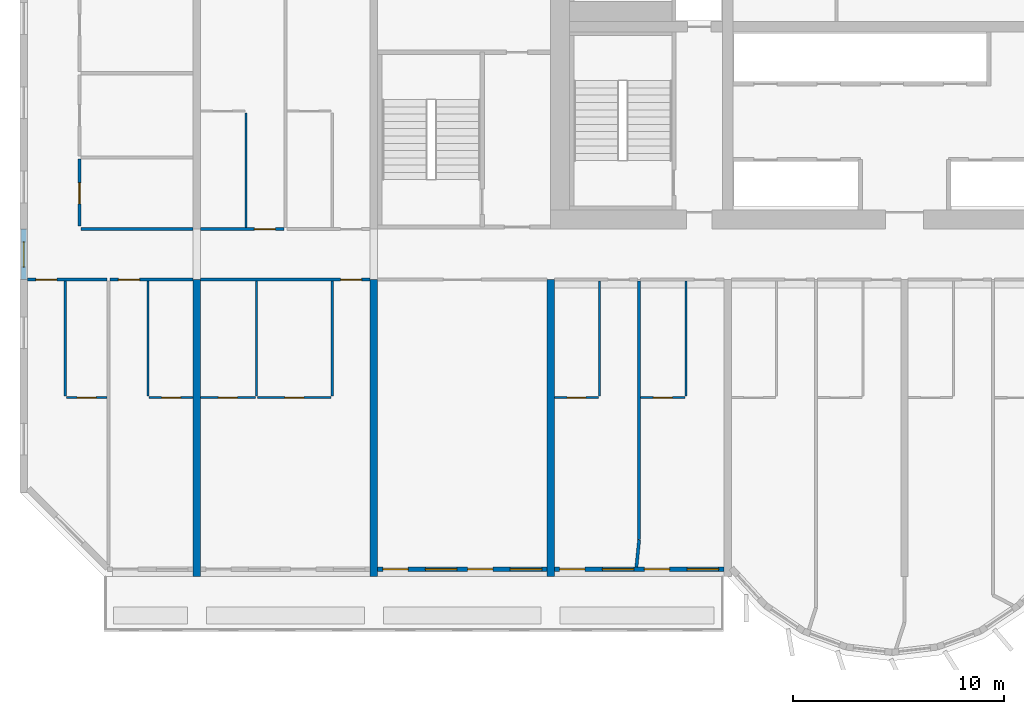
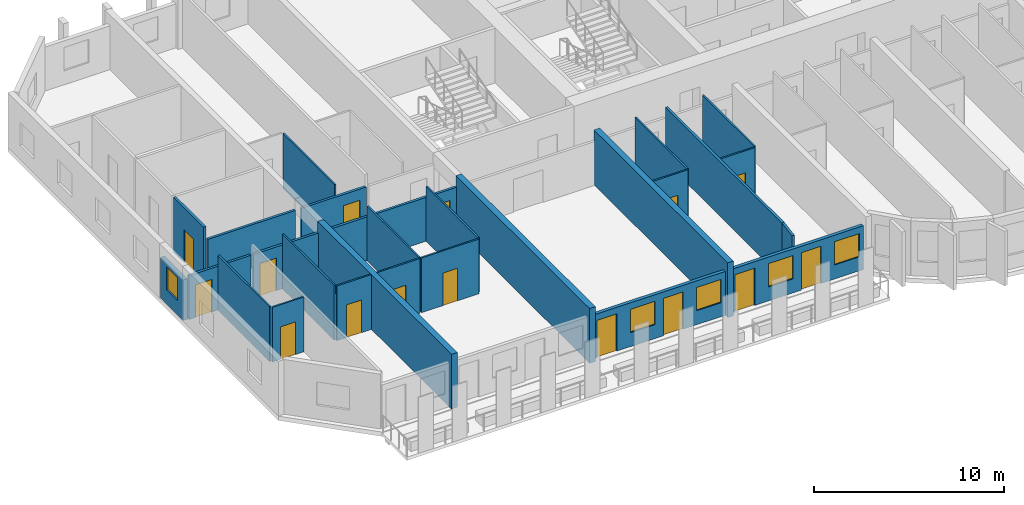
# One storey, part 3 of 15: 27 walls, 15 doors, 5 windows, 20 openings.
"""IFC4 building model written with IfcOpenShell, lengths in metres."""

import ifcopenshell
import ifcopenshell.guid

model = None  # the IFC model being written
_history = None  # IfcOwnerHistory: only IFC2X3 demands one
_inside = {}  # id of a spatial element -> (the spatial element, [elements in it])
_under = {}  # id of a project, library or spatial element -> (it, [spatial elements below it])
_declared = {}  # id of a project -> (the project, [libraries it declares])
_typed = {}  # id of a type object -> (the type object, [elements of that type])
_made_of = {}  # id of a material, layer set ... -> (it, [elements and type objects made of it])


def new_model(schema):
    """Start an empty IFC model of exactly this schema.

    Asked for "IFC4X3", IfcOpenShell would pick the latest addendum, in which some entities
    have other attributes; the version numbers below select the first issue.
    IFC2X3 requires an IfcOwnerHistory on every rooted entity: one is made here for all.
    """
    global model, _history
    if schema == "IFC4X3":
        model = ifcopenshell.file(schema_version=(4, 3, 0, 0))
    else:
        model = ifcopenshell.file(schema=schema)
    _inside.clear()
    _under.clear()
    _declared.clear()
    _typed.clear()
    _made_of.clear()
    _history = None
    if model.schema == "IFC2X3":
        org = make("IfcOrganization", Name="unknown")
        user = make(
            "IfcPersonAndOrganization",
            ThePerson=make("IfcPerson", FamilyName="unknown"),
            TheOrganization=org,
        )
        app = make(
            "IfcApplication",
            ApplicationDeveloper=org,
            Version="unknown",
            ApplicationFullName="unknown",
            ApplicationIdentifier="unknown",
        )
        _history = make(
            "IfcOwnerHistory",
            OwningUser=user,
            OwningApplication=app,
            ChangeAction="ADDED",
            CreationDate=0,
        )
    return model


def make(cls, **values):
    """One entity of the class cls with the attributes given. An attribute that is None is left unset."""
    return model.create_entity(
        cls, **{name: value for name, value in values.items() if value is not None}
    )


def rooted(cls, **values):
    """An entity with a GlobalId (a new one), such as an element, a storey or a relation."""
    return make(cls, GlobalId=ifcopenshell.guid.new(), OwnerHistory=_history, **values)


def si_unit(unit_type, name, prefix=None):
    """IfcSIUnit, for example si_unit("LENGTHUNIT", "METRE", prefix="MILLI")."""
    return make("IfcSIUnit", UnitType=unit_type, Prefix=prefix, Name=name)


def assignment(units):
    """IfcUnitAssignment: the units of a project."""
    return None if units is None else make("IfcUnitAssignment", Units=units)


def point(xyz):
    """IfcCartesianPoint."""
    return None if xyz is None else make("IfcCartesianPoint", Coordinates=xyz)


def direction(xyz):
    """IfcDirection."""
    return None if xyz is None else make("IfcDirection", DirectionRatios=xyz)


def frame(location, z_axis=None, x_axis=None):
    """IfcAxis2Placement3D, a coordinate frame: its origin and axes. An axis left out is left unset."""
    return make(
        "IfcAxis2Placement3D",
        Location=point(location),
        Axis=direction(z_axis),
        RefDirection=direction(x_axis),
    )


def frame_2d(location, x_axis=None):
    """IfcAxis2Placement2D, a coordinate frame in the plane: its origin and x axis."""
    return make(
        "IfcAxis2Placement2D", Location=point(location), RefDirection=direction(x_axis)
    )


def origin():
    """The frame at (0, 0, 0) with its axes left unset."""
    return frame((0.0, 0.0, 0.0))


def place(relative_to, where):
    """IfcLocalPlacement: puts the frame where relative to a parent placement (None: the world)."""
    return make(
        "IfcLocalPlacement", PlacementRelTo=relative_to, RelativePlacement=where
    )


def context(
    kind, dimensions, precision=None, world=None, true_north=None, identifier=None
):
    """IfcGeometricRepresentationContext, for example the 3D "Model" context."""
    return make(
        "IfcGeometricRepresentationContext",
        ContextIdentifier=identifier,
        ContextType=kind,
        CoordinateSpaceDimension=dimensions,
        Precision=precision,
        WorldCoordinateSystem=world,
        TrueNorth=true_north,
    )


def subcontext(parent, identifier, kind, view, scale=None):
    """IfcGeometricRepresentationSubContext, for example "Body" below "Model"."""
    return make(
        "IfcGeometricRepresentationSubContext",
        ContextIdentifier=identifier,
        ContextType=kind,
        ParentContext=parent,
        TargetScale=scale,
        TargetView=view,
    )


def project(units=None, contexts=None):
    """IfcProject with its units and contexts."""
    return rooted(
        "IfcProject",
        Name="project",
        RepresentationContexts=contexts,
        UnitsInContext=assignment(units),
    )


def spatial(cls, under=None, at=None, **own):
    """A site, building, storey or space (cls), placed at a placement, below another one or the project."""
    s = rooted(cls, ObjectPlacement=at, **own)
    if under is not None:
        _under.setdefault(under.id(), (under, []))[1].append(s)
    return s


def profile(cls, at=None, kind="AREA", **sizes):
    """A parametric profile (cls). Its sizes go by their IFC names, for example OverallWidth=200.0."""
    return make(cls, ProfileType=kind, Position=at, **sizes)


def rectangle(**sizes):
    """IfcRectangleProfileDef."""
    return profile("IfcRectangleProfileDef", **sizes)


def extrude(swept, where, along, depth):
    """IfcExtrudedAreaSolid: the profile swept, set in the frame where, extruded along a direction by depth."""
    return make(
        "IfcExtrudedAreaSolid",
        SweptArea=swept,
        Position=where,
        ExtrudedDirection=direction(along),
        Depth=depth,
    )


def shape(context_of_items, identifier, shape_type, items):
    """IfcShapeRepresentation: the items that make up one representation, for example the "Body"."""
    return make(
        "IfcShapeRepresentation",
        ContextOfItems=context_of_items,
        RepresentationIdentifier=identifier,
        RepresentationType=shape_type,
        Items=items,
    )


def source(mapping_origin, context_of_items, identifier, shape_type, items):
    """IfcRepresentationMap: a shape defined once, which mapped items show again and again."""
    return make(
        "IfcRepresentationMap",
        MappingOrigin=mapping_origin,
        MappedRepresentation=shape(context_of_items, identifier, shape_type, items),
    )


def transform(
    local_origin,
    x_axis=None,
    y_axis=None,
    z_axis=None,
    scale=None,
    scale2=None,
    scale3=None,
    uniform=True,
):
    """IfcCartesianTransformationOperator3D, or its non-uniform kind. x_axis, y_axis, z_axis: its Axis1, 2, 3."""
    if uniform:
        return make(
            "IfcCartesianTransformationOperator3D",
            Axis1=direction(x_axis),
            Axis2=direction(y_axis),
            LocalOrigin=point(local_origin),
            Scale=scale,
            Axis3=direction(z_axis),
        )
    return make(
        "IfcCartesianTransformationOperator3DnonUniform",
        Axis1=direction(x_axis),
        Axis2=direction(y_axis),
        LocalOrigin=point(local_origin),
        Scale=scale,
        Axis3=direction(z_axis),
        Scale2=scale2,
        Scale3=scale3,
    )


def mapped(mapping_source, mapping_target):
    """IfcMappedItem: shows the shape of a source again, moved by a transform."""
    return make(
        "IfcMappedItem", MappingSource=mapping_source, MappingTarget=mapping_target
    )


def material(Name=None, Category=None):
    """IfcMaterial."""
    return make("IfcMaterial", Name=Name, Category=Category)


def layer(
    of_material, thickness, ventilated=None, Name=None, Category=None, Priority=None
):
    """IfcMaterialLayer: one layer of a wall or slab, of a material (None: an air gap)."""
    return make(
        "IfcMaterialLayer",
        Material=of_material,
        LayerThickness=thickness,
        IsVentilated=ventilated,
        Name=Name,
        Category=Category,
        Priority=Priority,
    )


def layer_set(layers, Name=None):
    """IfcMaterialLayerSet."""
    return make("IfcMaterialLayerSet", MaterialLayers=layers, LayerSetName=Name)


def made_of(thing, what):
    """Note that an element or type object is made of a material, layer set ...; save() writes the relation."""
    if what is not None:
        _made_of.setdefault(what.id(), (what, []))[1].append(thing)
    return thing


def type_object(cls, material=None, **own):
    """A type object (cls), such as IfcWallType, which elements share."""
    return made_of(rooted(cls, **own), material)


def element(
    cls,
    number,
    at=None,
    inside=None,
    cuts=None,
    type_object=None,
    material=None,
    context=None,
    identifier="Body",
    shape_type=None,
    held_by="IfcProductDefinitionShape",
    body=None,
    shapes=None,
    **own,
):
    """One element of the class cls, such as IfcWall. Its Tag is "e" and its number.

    at: its placement. inside: the storey or other place that contains it. cuts: it is an
    opening in that element (IfcRelVoidsElement). A single representation is given by context,
    identifier, shape_type and body (its items); several are given by shapes. held_by: the class
    of the entity that holds the representations. save() writes the other relations.
    """
    e = rooted(cls, Tag="e%d" % number, ObjectPlacement=at, **own)
    if body is not None:
        shapes = [shape(context, identifier, shape_type, body)]
    if shapes is not None:
        e.Representation = make(held_by, Representations=shapes)
    if inside is not None:
        _inside.setdefault(inside.id(), (inside, []))[1].append(e)
    if cuts is not None:
        rooted(
            "IfcRelVoidsElement", RelatingBuildingElement=cuts, RelatedOpeningElement=e
        )
    if type_object is not None:
        _typed.setdefault(type_object.id(), (type_object, []))[1].append(e)
    return made_of(e, material)


def fill(opening, filler):
    """IfcRelFillsElement: the door or window that sits in an opening."""
    return rooted(
        "IfcRelFillsElement",
        RelatingOpeningElement=opening,
        RelatedBuildingElement=filler,
    )


def aggregate(whole, parts):
    """IfcRelAggregates: a whole, such as a stair, and the parts it consists of."""
    return rooted("IfcRelAggregates", RelatingObject=whole, RelatedObjects=parts)


def save(model, path):
    """Write the relations noted so far, then the file.

    IfcRelAggregates (storeys below a building ...), IfcRelContainedInSpatialStructure (elements
    in a storey), IfcRelDefinesByType, IfcRelAssociatesMaterial and IfcRelDeclares: one each for
    every whole, place, type object, material and project.
    """
    for whole, parts in _under.values():
        aggregate(whole, parts)
    for where, things in _inside.values():
        rooted(
            "IfcRelContainedInSpatialStructure",
            RelatedElements=things,
            RelatingStructure=where,
        )
    for kind, things in _typed.values():
        rooted("IfcRelDefinesByType", RelatedObjects=things, RelatingType=kind)
    for what, things in _made_of.values():
        rooted("IfcRelAssociatesMaterial", RelatedObjects=things, RelatingMaterial=what)
    for by, libraries in _declared.values():
        rooted("IfcRelDeclares", RelatingContext=by, RelatedDefinitions=libraries)
    model.write(path)


model = new_model("IFC4")

# Units and contexts
model_context = context("Model", 3, precision=1e-05, world=origin(), true_north=direction((0.0, 1.0)))
body_context = subcontext(model_context, "Body", "Model", "MODEL_VIEW")
ifc_project = project(units=[si_unit("LENGTHUNIT", "METRE"), si_unit("AREAUNIT", "SQUARE_METRE"), si_unit("VOLUMEUNIT", "CUBIC_METRE"), si_unit("PLANEANGLEUNIT", "RADIAN"), si_unit("MASSUNIT", "GRAM", prefix="KILO")], contexts=[model_context])

# Site, building, storey
site_placement = place(None, origin())
site = spatial("IfcSite", under=ifc_project, at=site_placement, CompositionType="ELEMENT")
building_placement = place(site_placement, origin())
building = spatial("IfcBuilding", under=site, at=building_placement, Name="Vanashikhar Sky Hotel", CompositionType="ELEMENT")
storey_placement = place(building_placement, frame((0.0, 0.0, 91.39990234375)))
storey = spatial("IfcBuildingStorey", under=building, at=storey_placement, Name="L21", CompositionType="ELEMENT", Elevation=91.39990234375)

# Walls
ifc_material_1 = material(Name="Concrete M70", Category="concrete")
ifc_layer_1 = layer(ifc_material_1, 0.35009765625)
ifc_layer_set_1 = layer_set([ifc_layer_1], Name="RC shear wall 350 Concrete M70")
wall_type_1 = type_object("IfcWallType", Name="RC shear wall 350 Concrete M70", PredefinedType="SHEAR", material=ifc_layer_set_1)
shared_shape_1 = source(origin(), body_context, "Body", "SweptSolid", [
    extrude(rectangle(XDim=14.10009765625, YDim=0.35009765625, at=frame_2d((7.050048828125, 0.0))), origin(), (0.0, 0.0, 1.0), 3.52001953125),
])
for number, where, z_axis, x_axis, name in (
    (1, (8.39990234375, 5.5, 0.0), (0.0, 0.0, 1.0), (0.0, 1.0, 0.0), "CW-L21-XW02-1"),
    (2, (16.800048828125, 5.5, 0.0), (0.0, 0.0, 1.0), (0.0, 1.0, 0.0), "CW-L21-XW03-1"),
    (3, (25.199951171875, 5.5, 0.0), (0.0, 0.0, 1.0), (0.0, 1.0, 0.0), "CW-L21-XW04-1"),
):
    element("IfcWall", number, at=place(storey_placement, frame(where, z_axis=z_axis, x_axis=x_axis)), inside=storey, type_object=wall_type_1, Name=name, PredefinedType="SHEAR", context=body_context, shape_type="MappedRepresentation", body=[
        mapped(shared_shape_1, transform((0.0, 0.0, 0.0), scale=1.0)),
    ])

# Wall, opening, window
ifc_material_2 = material(Name="Concrete M50", Category="concrete")
ifc_layer_2 = layer(ifc_material_2, 0.25)
ifc_layer_set_2 = layer_set([ifc_layer_2], Name="Rear and end board-marked wall 250")
wall_type_2 = type_object("IfcWallType", Name="Rear and end board-marked wall 250", PredefinedType="SOLIDWALL", material=ifc_layer_set_2)
shared_shape_2 = source(origin(), body_context, "Body", "SweptSolid", [
    extrude(rectangle(XDim=2.39990234375, YDim=0.25, at=frame_2d((1.199951171875, 0.0))), origin(), (0.0, 0.0, 1.0), 2.6201171875),
])
wall_1_placement = place(storey_placement, frame((0.175048828125, 19.60009765625, 0.0), z_axis=(0.0, 0.0, 1.0), x_axis=(0.0, 1.0, 0.0)))
wall_1 = element("IfcWall", 4, at=wall_1_placement, inside=storey, type_object=wall_type_2, Name="End corridor infill wall", PredefinedType="SOLIDWALL", context=body_context, shape_type="MappedRepresentation", body=[
    mapped(shared_shape_2, transform((0.0, 0.0, 0.0), scale=1.0)),
])
shared_shape_3 = source(origin(), body_context, "Body", "SweptSolid", [
    extrude(rectangle(XDim=1.199951171875, YDim=1.5, at=frame_2d((0.60009765625, 0.75))), frame((0.0, 0.135009765625, 0.0), z_axis=(0.0, -1.0, 0.0), x_axis=(1.0, 0.0, 0.0)), (0.0, 0.0, 1.0), 0.27001953125),
])
opening_1_placement = place(wall_1_placement, frame((0.60009765625, 0.0, 0.89990234375)))
opening_1 = element("IfcOpeningElement", 5, at=opening_1_placement, cuts=wall_1, Name="Opening WN-3", PredefinedType="OPENING", context=body_context, shape_type="MappedRepresentation", body=[
    mapped(shared_shape_3, transform((0.0, 0.0, 0.0), scale=1.0)),
])
ifc_material_3 = material(Name="Glass", Category="glass")
window_type_1 = type_object("IfcWindowType", Name="Corridor end window 1200 x 1500", PartitioningType="SINGLE_PANEL", PredefinedType="WINDOW", material=ifc_material_3)
shared_shape_4 = source(origin(), body_context, "Body", "SweptSolid", [
    extrude(rectangle(XDim=1.199951171875, YDim=1.5, at=frame_2d((0.60009765625, 0.75))), frame((0.0, 0.030029296875, 0.0), z_axis=(0.0, -1.0, 0.0), x_axis=(1.0, 0.0, 0.0)), (0.0, 0.0, 1.0), 0.06005859375),
])
window_1_placement = place(opening_1_placement, origin())
window_1 = element("IfcWindow", 6, at=window_1_placement, inside=storey, type_object=window_type_1, Name="Window WN-3", OverallHeight=1.5, OverallWidth=1.199951171875, PartitioningType="SINGLE_PANEL", PredefinedType="WINDOW", context=body_context, shape_type="MappedRepresentation", body=[
    mapped(shared_shape_4, transform((0.0, 0.0, 0.0), scale=1.0)),
])
fill(opening_1, window_1)

# Wall, openings, windows, doors
ifc_layer_3 = layer(ifc_material_2, 0.199951171875)
ifc_layer_set_3 = layer_set([ifc_layer_3], Name="Front window wall 200")
wall_type_3 = type_object("IfcWallType", Name="Front window wall 200", PredefinedType="SOLIDWALL", material=ifc_layer_set_3)
shared_shape_5 = source(origin(), body_context, "Body", "SweptSolid", [
    extrude(rectangle(XDim=8.050048828125, YDim=0.199951171875, at=frame_2d((4.02490234375, 0.0))), origin(), (0.0, 0.0, 1.0), 2.820068359375),
])
wall_2_placement = place(storey_placement, frame((25.375, 5.85009765625, 0.0), z_axis=(0.0, 0.0, 1.0), x_axis=(1.0, 0.0, 0.0)))
wall_2 = element("IfcWall", 7, at=wall_2_placement, inside=storey, type_object=wall_type_3, Name="Front window wall", PredefinedType="SOLIDWALL", context=body_context, shape_type="MappedRepresentation", body=[
    mapped(shared_shape_5, transform((0.0, 0.0, 0.0), scale=1.0)),
])
shared_shape_6 = source(origin(), body_context, "Body", "SweptSolid", [
    extrude(rectangle(XDim=1.199951171875, YDim=2.39990234375, at=frame_2d((0.60009765625, 1.199951171875))), frame((0.0, 0.10986328125, 0.0), z_axis=(0.0, -1.0, 0.0), x_axis=(1.0, 0.0, 0.0)), (0.0, 0.0, 1.0), 0.219970703125),
])
opening_2_placement = place(wall_2_placement, frame((0.25, 0.0, 0.0)))
opening_2 = element("IfcOpeningElement", 8, at=opening_2_placement, cuts=wall_2, Name="Opening BD-06", PredefinedType="OPENING", context=body_context, shape_type="MappedRepresentation", body=[
    mapped(shared_shape_6, transform((0.0, 0.0, 0.0), scale=1.0)),
])
shared_shape_7 = source(origin(), body_context, "Body", "SweptSolid", [
    extrude(rectangle(XDim=1.5, YDim=1.5, at=frame_2d((0.75, 0.75))), frame((0.0, 0.10986328125, 0.0), z_axis=(0.0, -1.0, 0.0), x_axis=(1.0, 0.0, 0.0)), (0.0, 0.0, 1.0), 0.219970703125),
])
opening_3_placement = place(wall_2_placement, frame((2.27490234375, 0.0, 0.89990234375)))
opening_3 = element("IfcOpeningElement", 9, at=opening_3_placement, cuts=wall_2, Name="Opening WN-1", PredefinedType="OPENING", context=body_context, shape_type="MappedRepresentation", body=[
    mapped(shared_shape_7, transform((0.0, 0.0, 0.0), scale=1.0)),
])
opening_4_placement = place(wall_2_placement, frame((4.27490234375, 0.0, 0.0)))
opening_4 = element("IfcOpeningElement", 10, at=opening_4_placement, cuts=wall_2, Name="Opening BD-07", PredefinedType="OPENING", context=body_context, shape_type="MappedRepresentation", body=[
    mapped(shared_shape_6, transform((0.0, 0.0, 0.0), scale=1.0)),
])
opening_5_placement = place(wall_2_placement, frame((6.300048828125, 0.0, 0.89990234375)))
opening_5 = element("IfcOpeningElement", 11, at=opening_5_placement, cuts=wall_2, Name="Opening WN-1", PredefinedType="OPENING", context=body_context, shape_type="MappedRepresentation", body=[
    mapped(shared_shape_7, transform((0.0, 0.0, 0.0), scale=1.0)),
])
window_type_2 = type_object("IfcWindowType", Name="Window 1500 x 1500", PartitioningType="SINGLE_PANEL", PredefinedType="WINDOW", material=ifc_material_3)
shared_shape_8 = source(origin(), body_context, "Body", "SweptSolid", [
    extrude(rectangle(XDim=1.5, YDim=1.5, at=frame_2d((0.75, 0.75))), frame((0.0, 0.030029296875, 0.0), z_axis=(0.0, -1.0, 0.0), x_axis=(1.0, 0.0, 0.0)), (0.0, 0.0, 1.0), 0.06005859375),
])
window_2_placement = place(opening_3_placement, origin())
window_2 = element("IfcWindow", 12, at=window_2_placement, inside=storey, type_object=window_type_2, Name="Window WN-1", OverallHeight=1.5, OverallWidth=1.5, PartitioningType="SINGLE_PANEL", PredefinedType="WINDOW", context=body_context, shape_type="MappedRepresentation", body=[
    mapped(shared_shape_8, transform((0.0, 0.0, 0.0), scale=1.0)),
])
fill(opening_3, window_2)
window_3_placement = place(opening_5_placement, origin())
window_3 = element("IfcWindow", 13, at=window_3_placement, inside=storey, type_object=window_type_2, Name="Window WN-1", OverallHeight=1.5, OverallWidth=1.5, PartitioningType="SINGLE_PANEL", PredefinedType="WINDOW", context=body_context, shape_type="MappedRepresentation", body=[
    mapped(shared_shape_8, transform((0.0, 0.0, 0.0), scale=1.0)),
])
fill(opening_5, window_3)
ifc_material_4 = material(Name="Aluminium", Category="aluminium")
door_type_1 = type_object("IfcDoorType", Name="Balcony sliding door 1200 x 2400", OperationType="NOTDEFINED", PredefinedType="DOOR", material=ifc_material_4)
shared_shape_9 = source(origin(), body_context, "Body", "SweptSolid", [
    extrude(rectangle(XDim=1.199951171875, YDim=2.39990234375, at=frame_2d((0.60009765625, 1.199951171875))), frame((0.0, 0.02490234375, 0.0), z_axis=(0.0, -1.0, 0.0), x_axis=(1.0, 0.0, 0.0)), (0.0, 0.0, 1.0), 0.050048828125),
])
door_1_placement = place(opening_2_placement, origin())
door_1 = element("IfcDoor", 14, at=door_1_placement, inside=storey, type_object=door_type_1, Name="Balcony sliding door", OperationType="SLIDING_TO_RIGHT", OverallHeight=2.39990234375, OverallWidth=1.199951171875, PredefinedType="DOOR", context=body_context, shape_type="MappedRepresentation", body=[
    mapped(shared_shape_9, transform((0.0, 0.0, 0.0), scale=1.0)),
])
fill(opening_2, door_1)
door_2_placement = place(opening_4_placement, origin())
door_2 = element("IfcDoor", 15, at=door_2_placement, inside=storey, type_object=door_type_1, Name="Balcony sliding door", OperationType="SLIDING_TO_LEFT", OverallHeight=2.39990234375, OverallWidth=1.199951171875, PredefinedType="DOOR", context=body_context, shape_type="MappedRepresentation", body=[
    mapped(shared_shape_9, transform((0.0, 0.0, 0.0), scale=1.0)),
])
fill(opening_4, door_2)

shared_shape_10 = source(origin(), body_context, "Body", "SweptSolid", [
    extrude(rectangle(XDim=8.0498046875, YDim=0.199951171875, at=frame_2d((4.02490234375, 0.0))), origin(), (0.0, 0.0, 1.0), 2.820068359375),
])
wall_3_placement = place(storey_placement, frame((16.97509765625, 5.85009765625, 0.0), z_axis=(0.0, 0.0, 1.0), x_axis=(1.0, 0.0, 0.0)))
wall_3 = element("IfcWall", 16, at=wall_3_placement, inside=storey, type_object=wall_type_3, Name="Front window wall", PredefinedType="SOLIDWALL", context=body_context, shape_type="MappedRepresentation", body=[
    mapped(shared_shape_10, transform((0.0, 0.0, 0.0), scale=1.0)),
])
opening_6_placement = place(wall_3_placement, frame((0.25, 0.0, 0.0)))
opening_6 = element("IfcOpeningElement", 17, at=opening_6_placement, cuts=wall_3, Name="Opening BD-04", PredefinedType="OPENING", context=body_context, shape_type="MappedRepresentation", body=[
    mapped(shared_shape_6, transform((0.0, 0.0, 0.0), scale=1.0)),
])
opening_7_placement = place(wall_3_placement, frame((2.27490234375, 0.0, 0.89990234375)))
opening_7 = element("IfcOpeningElement", 18, at=opening_7_placement, cuts=wall_3, Name="Opening WN-1", PredefinedType="OPENING", context=body_context, shape_type="MappedRepresentation", body=[
    mapped(shared_shape_7, transform((0.0, 0.0, 0.0), scale=1.0)),
])
opening_8_placement = place(wall_3_placement, frame((4.27490234375, 0.0, 0.0)))
opening_8 = element("IfcOpeningElement", 19, at=opening_8_placement, cuts=wall_3, Name="Opening BD-05", PredefinedType="OPENING", context=body_context, shape_type="MappedRepresentation", body=[
    mapped(shared_shape_6, transform((0.0, 0.0, 0.0), scale=1.0)),
])
opening_9_placement = place(wall_3_placement, frame((6.300048828125, 0.0, 0.89990234375)))
opening_9 = element("IfcOpeningElement", 20, at=opening_9_placement, cuts=wall_3, Name="Opening WN-1", PredefinedType="OPENING", context=body_context, shape_type="MappedRepresentation", body=[
    mapped(shared_shape_7, transform((0.0, 0.0, 0.0), scale=1.0)),
])
window_4_placement = place(opening_7_placement, origin())
window_4 = element("IfcWindow", 21, at=window_4_placement, inside=storey, type_object=window_type_2, Name="Window WN-1", OverallHeight=1.5, OverallWidth=1.5, PartitioningType="SINGLE_PANEL", PredefinedType="WINDOW", context=body_context, shape_type="MappedRepresentation", body=[
    mapped(shared_shape_8, transform((0.0, 0.0, 0.0), scale=1.0)),
])
fill(opening_7, window_4)
window_5_placement = place(opening_9_placement, origin())
window_5 = element("IfcWindow", 22, at=window_5_placement, inside=storey, type_object=window_type_2, Name="Window WN-1", OverallHeight=1.5, OverallWidth=1.5, PartitioningType="SINGLE_PANEL", PredefinedType="WINDOW", context=body_context, shape_type="MappedRepresentation", body=[
    mapped(shared_shape_8, transform((0.0, 0.0, 0.0), scale=1.0)),
])
fill(opening_9, window_5)
door_3_placement = place(opening_6_placement, origin())
door_3 = element("IfcDoor", 23, at=door_3_placement, inside=storey, type_object=door_type_1, Name="Balcony sliding door", OperationType="SLIDING_TO_RIGHT", OverallHeight=2.39990234375, OverallWidth=1.199951171875, PredefinedType="DOOR", context=body_context, shape_type="MappedRepresentation", body=[
    mapped(shared_shape_9, transform((0.0, 0.0, 0.0), scale=1.0)),
])
fill(opening_6, door_3)
door_4_placement = place(opening_8_placement, origin())
door_4 = element("IfcDoor", 24, at=door_4_placement, inside=storey, type_object=door_type_1, Name="Balcony sliding door", OperationType="SLIDING_TO_LEFT", OverallHeight=2.39990234375, OverallWidth=1.199951171875, PredefinedType="DOOR", context=body_context, shape_type="MappedRepresentation", body=[
    mapped(shared_shape_9, transform((0.0, 0.0, 0.0), scale=1.0)),
])
fill(opening_8, door_4)

# Wall, opening, door
ifc_material_5 = material(Name="Gypsum plasterboard partition")
ifc_layer_4 = layer(ifc_material_5, 0.10009765625)
ifc_layer_set_4 = layer_set([ifc_layer_4], Name="Wet room partition 100")
wall_type_4 = type_object("IfcWallType", Name="Wet room partition 100", PredefinedType="PARTITIONING", material=ifc_layer_set_4)
shared_shape_11 = source(origin(), body_context, "Body", "SweptSolid", [
    extrude(rectangle(XDim=3.5, YDim=0.10009765625, at=frame_2d((1.75, 0.0))), origin(), (0.0, 0.0, 1.0), 3.52001953125),
])
wall_4_placement = place(storey_placement, frame((11.27490234375, 14.0, 0.0), z_axis=(0.0, 0.0, 1.0), x_axis=(1.0, 0.0, 0.0)))
wall_4 = element("IfcWall", 25, at=wall_4_placement, inside=storey, type_object=wall_type_4, Name="W-L21-PW010", PredefinedType="PARTITIONING", context=body_context, shape_type="MappedRepresentation", body=[
    mapped(shared_shape_11, transform((0.0, 0.0, 0.0), scale=1.0)),
])
shared_shape_12 = source(origin(), body_context, "Body", "SweptSolid", [
    extrude(rectangle(XDim=0.89990234375, YDim=2.10009765625, at=frame_2d((0.449951171875, 1.050048828125))), frame((0.0, 0.06005859375, 0.0), z_axis=(0.0, -1.0, 0.0), x_axis=(1.0, 0.0, 0.0)), (0.0, 0.0, 1.0), 0.1201171875),
])
opening_10_placement = place(wall_4_placement, frame((1.300048828125, 0.0, 0.0)))
opening_10 = element("IfcOpeningElement", 26, at=opening_10_placement, cuts=wall_4, Name="Opening D-02", PredefinedType="OPENING", context=body_context, shape_type="MappedRepresentation", body=[
    mapped(shared_shape_12, transform((0.0, 0.0, 0.0), scale=1.0)),
])
ifc_material_6 = material(Name="Timber door", Category="wood")
door_type_2 = type_object("IfcDoorType", Name="Internal door 900", OperationType="NOTDEFINED", PredefinedType="DOOR", material=ifc_material_6)
shared_shape_13 = source(origin(), body_context, "Body", "SweptSolid", [
    extrude(rectangle(XDim=0.89990234375, YDim=2.10009765625, at=frame_2d((0.449951171875, 1.050048828125))), frame((0.0, 0.02490234375, 0.0), z_axis=(0.0, -1.0, 0.0), x_axis=(1.0, 0.0, 0.0)), (0.0, 0.0, 1.0), 0.050048828125),
])
door_5_placement = place(opening_10_placement, origin())
door_5 = element("IfcDoor", 27, at=door_5_placement, inside=storey, type_object=door_type_2, Name="D-L21-005", OperationType="SINGLE_SWING_RIGHT", OverallHeight=2.10009765625, OverallWidth=0.89990234375, PredefinedType="DOOR", context=body_context, shape_type="MappedRepresentation", body=[
    mapped(shared_shape_13, transform((0.0, 0.0, 0.0), scale=1.0)),
])
fill(opening_10, door_5)

ifc_layer_5 = layer(ifc_material_5, 0.14990234375)
ifc_layer_set_5 = layer_set([ifc_layer_5], Name="Corridor and demising partition 150")
wall_type_5 = type_object("IfcWallType", Name="Corridor and demising partition 150", PredefinedType="PARTITIONING", material=ifc_layer_set_5)
shared_shape_14 = source(origin(), body_context, "Body", "SweptSolid", [
    extrude(rectangle(XDim=3.175048828125, YDim=0.14990234375, at=frame_2d((1.58740234375, 0.0))), origin(), (0.0, 0.0, 1.0), 3.52001953125),
])
wall_5_placement = place(storey_placement, frame((2.824951171875, 22.14990234375, 0.0), z_axis=(0.0, 0.0, 1.0), x_axis=(0.0, 1.0, 0.0)))
wall_5 = element("IfcWall", 28, at=wall_5_placement, inside=storey, type_object=wall_type_5, Name="W-L21-PW074", PredefinedType="PARTITIONING", context=body_context, shape_type="MappedRepresentation", body=[
    mapped(shared_shape_14, transform((0.0, 0.0, 0.0), scale=1.0)),
])
shared_shape_15 = source(origin(), body_context, "Body", "SweptSolid", [
    extrude(rectangle(XDim=1.0, YDim=2.10009765625, at=frame_2d((0.5, 1.050048828125))), frame((0.0, 0.0849609375, 0.0), z_axis=(0.0, -1.0, 0.0), x_axis=(1.0, 0.0, 0.0)), (0.0, 0.0, 1.0), 0.169921875),
])
opening_11_placement = place(wall_5_placement, frame((1.050048828125, 0.0, 0.0)))
opening_11 = element("IfcOpeningElement", 29, at=opening_11_placement, cuts=wall_5, Name="Opening D-01", PredefinedType="OPENING", context=body_context, shape_type="MappedRepresentation", body=[
    mapped(shared_shape_15, transform((0.0, 0.0, 0.0), scale=1.0)),
])
ifc_material_7 = material(Name="Timber fire door", Category="wood")
door_type_3 = type_object("IfcDoorType", Name="Guest entry door 1000 FD30S", OperationType="NOTDEFINED", PredefinedType="DOOR", material=ifc_material_7)
shared_shape_16 = source(origin(), body_context, "Body", "SweptSolid", [
    extrude(rectangle(XDim=1.0, YDim=2.10009765625, at=frame_2d((0.5, 1.050048828125))), frame((0.0, 0.02490234375, 0.0), z_axis=(0.0, -1.0, 0.0), x_axis=(1.0, 0.0, 0.0)), (0.0, 0.0, 1.0), 0.050048828125),
])
door_6_placement = place(opening_11_placement, origin())
door_6 = element("IfcDoor", 30, at=door_6_placement, inside=storey, type_object=door_type_3, Name="D-L21-042", OperationType="SINGLE_SWING_LEFT", OverallHeight=2.10009765625, OverallWidth=1.0, PredefinedType="DOOR", context=body_context, shape_type="MappedRepresentation", body=[
    mapped(shared_shape_16, transform((0.0, 0.0, 0.0), scale=1.0)),
])
fill(opening_11, door_6)

# Walls
shared_shape_17 = source(origin(), body_context, "Body", "SweptSolid", [
    extrude(rectangle(XDim=5.449951171875, YDim=0.10009765625, at=frame_2d((2.72509765625, 0.0))), origin(), (0.0, 0.0, 1.0), 3.52001953125),
])
for number, where, z_axis, x_axis, name in (
    (31, (2.14990234375, 14.074951171875, 0.0), (0.0, 0.0, 1.0), (0.0, 1.0, 0.0), "W-L21-PW001"),
    (32, (6.074951171875, 14.074951171875, 0.0), (0.0, 0.0, 1.0), (0.0, 1.0, 0.0), "W-L21-PW004"),
    (33, (14.824951171875, 14.074951171875, 0.0), (0.0, 0.0, 1.0), (0.0, 1.0, 0.0), "W-L21-PW008"),
    (34, (11.22509765625, 14.074951171875, 0.0), (0.0, 0.0, 1.0), (0.0, 1.0, 0.0), "W-L21-PW009"),
    (35, (27.52490234375, 14.074951171875, 0.0), (0.0, 0.0, 1.0), (0.0, 1.0, 0.0), "W-L21-PW014"),
    (36, (31.625, 14.074951171875, 0.0), (0.0, 0.0, 1.0), (0.0, 1.0, 0.0), "W-L21-PW017"),
    (37, (10.72509765625, 22.074951171875, 0.0), (0.0, 0.0, 1.0), (0.0, 1.0, 0.0), "W-L21-PW080"),
):
    element("IfcWall", number, at=place(storey_placement, frame(where, z_axis=z_axis, x_axis=x_axis)), inside=storey, type_object=wall_type_4, Name=name, PredefinedType="PARTITIONING", context=body_context, shape_type="MappedRepresentation", body=[
        mapped(shared_shape_17, transform((0.0, 0.0, 0.0), scale=1.0)),
    ])

# Wall, opening, door
shared_shape_18 = source(origin(), body_context, "Body", "SweptSolid", [
    extrude(rectangle(XDim=1.925048828125, YDim=0.10009765625, at=frame_2d((0.96240234375, 0.0))), origin(), (0.0, 0.0, 1.0), 3.52001953125),
])
wall_6_placement = place(storey_placement, frame((2.199951171875, 14.0, 0.0), z_axis=(0.0, 0.0, 1.0), x_axis=(1.0, 0.0, 0.0)))
wall_6 = element("IfcWall", 38, at=wall_6_placement, inside=storey, type_object=wall_type_4, Name="W-L21-PW002", PredefinedType="PARTITIONING", context=body_context, shape_type="MappedRepresentation", body=[
    mapped(shared_shape_18, transform((0.0, 0.0, 0.0), scale=1.0)),
])
opening_12_placement = place(wall_6_placement, frame((0.511962890625, 0.0, 0.0)))
opening_12 = element("IfcOpeningElement", 39, at=opening_12_placement, cuts=wall_6, Name="Opening D-02", PredefinedType="OPENING", context=body_context, shape_type="MappedRepresentation", body=[
    mapped(shared_shape_12, transform((0.0, 0.0, 0.0), scale=1.0)),
])
door_7_placement = place(opening_12_placement, origin())
door_7 = element("IfcDoor", 40, at=door_7_placement, inside=storey, type_object=door_type_2, Name="D-L21-001", OperationType="SINGLE_SWING_LEFT", OverallHeight=2.10009765625, OverallWidth=0.89990234375, PredefinedType="DOOR", context=body_context, shape_type="MappedRepresentation", body=[
    mapped(shared_shape_13, transform((0.0, 0.0, 0.0), scale=1.0)),
])
fill(opening_12, door_7)

shared_shape_19 = source(origin(), body_context, "Body", "SweptSolid", [
    extrude(rectangle(XDim=3.77490234375, YDim=0.14990234375, at=frame_2d((1.887451171875, 0.0))), origin(), (0.0, 0.0, 1.0), 2.820068359375),
])
wall_7_placement = place(storey_placement, frame((0.35009765625, 19.60009765625, 0.0), z_axis=(0.0, 0.0, 1.0), x_axis=(1.0, 0.0, 0.0)))
wall_7 = element("IfcWall", 41, at=wall_7_placement, inside=storey, type_object=wall_type_5, Name="W-L21-PW003", PredefinedType="PARTITIONING", context=body_context, shape_type="MappedRepresentation", body=[
    mapped(shared_shape_19, transform((0.0, 0.0, 0.0), scale=1.0)),
])
opening_13_placement = place(wall_7_placement, frame((0.39990234375, 0.0, 0.0)))
opening_13 = element("IfcOpeningElement", 42, at=opening_13_placement, cuts=wall_7, Name="Opening D-01", PredefinedType="OPENING", context=body_context, shape_type="MappedRepresentation", body=[
    mapped(shared_shape_15, transform((0.0, 0.0, 0.0), scale=1.0)),
])
door_8_placement = place(opening_13_placement, origin())
door_8 = element("IfcDoor", 43, at=door_8_placement, inside=storey, type_object=door_type_3, Name="D-L21-002", OperationType="SINGLE_SWING_LEFT", OverallHeight=2.10009765625, OverallWidth=1.0, PredefinedType="DOOR", context=body_context, shape_type="MappedRepresentation", body=[
    mapped(shared_shape_16, transform((0.0, 0.0, 0.0), scale=1.0)),
])
fill(opening_13, door_8)

shared_shape_20 = source(origin(), body_context, "Body", "SweptSolid", [
    extrude(rectangle(XDim=2.10009765625, YDim=0.10009765625, at=frame_2d((1.050048828125, 0.0))), origin(), (0.0, 0.0, 1.0), 3.52001953125),
])
wall_8_placement = place(storey_placement, frame((6.125, 14.0, 0.0), z_axis=(0.0, 0.0, 1.0), x_axis=(1.0, 0.0, 0.0)))
wall_8 = element("IfcWall", 44, at=wall_8_placement, inside=storey, type_object=wall_type_4, Name="W-L21-PW005", PredefinedType="PARTITIONING", context=body_context, shape_type="MappedRepresentation", body=[
    mapped(shared_shape_20, transform((0.0, 0.0, 0.0), scale=1.0)),
])
opening_14_placement = place(wall_8_placement, frame((0.60009765625, 0.0, 0.0)))
opening_14 = element("IfcOpeningElement", 45, at=opening_14_placement, cuts=wall_8, Name="Opening D-02", PredefinedType="OPENING", context=body_context, shape_type="MappedRepresentation", body=[
    mapped(shared_shape_12, transform((0.0, 0.0, 0.0), scale=1.0)),
])
door_9_placement = place(opening_14_placement, origin())
door_9 = element("IfcDoor", 46, at=door_9_placement, inside=storey, type_object=door_type_2, Name="D-L21-003", OperationType="SINGLE_SWING_LEFT", OverallHeight=2.10009765625, OverallWidth=0.89990234375, PredefinedType="DOOR", context=body_context, shape_type="MappedRepresentation", body=[
    mapped(shared_shape_13, transform((0.0, 0.0, 0.0), scale=1.0)),
])
fill(opening_14, door_9)

wall_9_placement = place(storey_placement, frame((25.375, 14.0, 0.0), z_axis=(0.0, 0.0, 1.0), x_axis=(1.0, 0.0, 0.0)))
wall_9 = element("IfcWall", 47, at=wall_9_placement, inside=storey, type_object=wall_type_4, Name="W-L21-PW015", PredefinedType="PARTITIONING", context=body_context, shape_type="MappedRepresentation", body=[
    mapped(shared_shape_20, transform((0.0, 0.0, 0.0), scale=1.0)),
])
opening_15_placement = place(wall_9_placement, frame((0.60009765625, 0.0, 0.0)))
opening_15 = element("IfcOpeningElement", 48, at=opening_15_placement, cuts=wall_9, Name="Opening D-02", PredefinedType="OPENING", context=body_context, shape_type="MappedRepresentation", body=[
    mapped(shared_shape_12, transform((0.0, 0.0, 0.0), scale=1.0)),
])
door_10_placement = place(opening_15_placement, origin())
door_10 = element("IfcDoor", 49, at=door_10_placement, inside=storey, type_object=door_type_2, Name="D-L21-009", OperationType="SINGLE_SWING_RIGHT", OverallHeight=2.10009765625, OverallWidth=0.89990234375, PredefinedType="DOOR", context=body_context, shape_type="MappedRepresentation", body=[
    mapped(shared_shape_13, transform((0.0, 0.0, 0.0), scale=1.0)),
])
fill(opening_15, door_10)

shared_shape_21 = source(origin(), body_context, "Body", "SweptSolid", [
    extrude(rectangle(XDim=3.9501953125, YDim=0.14990234375, at=frame_2d((1.97509765625, 0.0))), origin(), (0.0, 0.0, 1.0), 2.820068359375),
])
wall_10_placement = place(storey_placement, frame((4.27490234375, 19.60009765625, 0.0), z_axis=(0.0, 0.0, 1.0), x_axis=(1.0, 0.0, 0.0)))
wall_10 = element("IfcWall", 50, at=wall_10_placement, inside=storey, type_object=wall_type_5, Name="W-L21-PW006", PredefinedType="PARTITIONING", context=body_context, shape_type="MappedRepresentation", body=[
    mapped(shared_shape_21, transform((0.0, 0.0, 0.0), scale=1.0)),
])
opening_16_placement = place(wall_10_placement, frame((0.39990234375, 0.0, 0.0)))
opening_16 = element("IfcOpeningElement", 51, at=opening_16_placement, cuts=wall_10, Name="Opening D-01", PredefinedType="OPENING", context=body_context, shape_type="MappedRepresentation", body=[
    mapped(shared_shape_15, transform((0.0, 0.0, 0.0), scale=1.0)),
])
door_11_placement = place(opening_16_placement, origin())
door_11 = element("IfcDoor", 52, at=door_11_placement, inside=storey, type_object=door_type_3, Name="D-L21-004", OperationType="SINGLE_SWING_LEFT", OverallHeight=2.10009765625, OverallWidth=1.0, PredefinedType="DOOR", context=body_context, shape_type="MappedRepresentation", body=[
    mapped(shared_shape_16, transform((0.0, 0.0, 0.0), scale=1.0)),
])
fill(opening_16, door_11)

shared_shape_22 = source(origin(), body_context, "Body", "SweptSolid", [
    extrude(rectangle(XDim=2.60009765625, YDim=0.10009765625, at=frame_2d((1.300048828125, 0.0))), origin(), (0.0, 0.0, 1.0), 3.52001953125),
])
wall_11_placement = place(storey_placement, frame((8.574951171875, 14.0, 0.0), z_axis=(0.0, 0.0, 1.0), x_axis=(1.0, 0.0, 0.0)))
wall_11 = element("IfcWall", 53, at=wall_11_placement, inside=storey, type_object=wall_type_4, Name="W-L21-PW011", PredefinedType="PARTITIONING", context=body_context, shape_type="MappedRepresentation", body=[
    mapped(shared_shape_22, transform((0.0, 0.0, 0.0), scale=1.0)),
])
opening_17_placement = place(wall_11_placement, frame((0.85009765625, 0.0, 0.0)))
opening_17 = element("IfcOpeningElement", 54, at=opening_17_placement, cuts=wall_11, Name="Opening D-02", PredefinedType="OPENING", context=body_context, shape_type="MappedRepresentation", body=[
    mapped(shared_shape_12, transform((0.0, 0.0, 0.0), scale=1.0)),
])
door_12_placement = place(opening_17_placement, origin())
door_12 = element("IfcDoor", 55, at=door_12_placement, inside=storey, type_object=door_type_2, Name="D-L21-006", OperationType="SINGLE_SWING_RIGHT", OverallHeight=2.10009765625, OverallWidth=0.89990234375, PredefinedType="DOOR", context=body_context, shape_type="MappedRepresentation", body=[
    mapped(shared_shape_13, transform((0.0, 0.0, 0.0), scale=1.0)),
])
fill(opening_17, door_12)

shared_shape_23 = source(origin(), body_context, "Body", "SweptSolid", [
    extrude(rectangle(XDim=8.050048828125, YDim=0.14990234375, at=frame_2d((4.02490234375, 0.0))), origin(), (0.0, 0.0, 1.0), 2.820068359375),
])
wall_12_placement = place(storey_placement, frame((8.574951171875, 19.60009765625, 0.0), z_axis=(0.0, 0.0, 1.0), x_axis=(1.0, 0.0, 0.0)))
wall_12 = element("IfcWall", 56, at=wall_12_placement, inside=storey, type_object=wall_type_5, Name="W-L21-PW012", PredefinedType="PARTITIONING", context=body_context, shape_type="MappedRepresentation", body=[
    mapped(shared_shape_23, transform((0.0, 0.0, 0.0), scale=1.0)),
])
opening_18_placement = place(wall_12_placement, frame((6.64990234375, 0.0, 0.0)))
opening_18 = element("IfcOpeningElement", 57, at=opening_18_placement, cuts=wall_12, Name="Opening D-01", PredefinedType="OPENING", context=body_context, shape_type="MappedRepresentation", body=[
    mapped(shared_shape_15, transform((0.0, 0.0, 0.0), scale=1.0)),
])
door_13_placement = place(opening_18_placement, origin())
door_13 = element("IfcDoor", 58, at=door_13_placement, inside=storey, type_object=door_type_3, Name="D-L21-007", OperationType="SINGLE_SWING_RIGHT", OverallHeight=2.10009765625, OverallWidth=1.0, PredefinedType="DOOR", context=body_context, shape_type="MappedRepresentation", body=[
    mapped(shared_shape_16, transform((0.0, 0.0, 0.0), scale=1.0)),
])
fill(opening_18, door_13)

shared_shape_24 = source(origin(), body_context, "Body", "SweptSolid", [
    extrude(rectangle(XDim=3.949951171875, YDim=0.14990234375, at=frame_2d((1.97509765625, 0.0))), origin(), (0.0, 0.0, 1.0), 2.820068359375),
])
wall_13_placement = place(storey_placement, frame((8.574951171875, 22.0, 0.0), z_axis=(0.0, 0.0, 1.0), x_axis=(1.0, 0.0, 0.0)))
wall_13 = element("IfcWall", 59, at=wall_13_placement, inside=storey, type_object=wall_type_5, Name="W-L21-PW082", PredefinedType="PARTITIONING", context=body_context, shape_type="MappedRepresentation", body=[
    mapped(shared_shape_24, transform((0.0, 0.0, 0.0), scale=1.0)),
])
opening_19_placement = place(wall_13_placement, frame((2.550048828125, 0.0, 0.0)))
opening_19 = element("IfcOpeningElement", 60, at=opening_19_placement, cuts=wall_13, Name="Opening D-01", PredefinedType="OPENING", context=body_context, shape_type="MappedRepresentation", body=[
    mapped(shared_shape_15, transform((0.0, 0.0, 0.0), scale=1.0)),
])
door_14_placement = place(opening_19_placement, origin())
door_14 = element("IfcDoor", 61, at=door_14_placement, inside=storey, type_object=door_type_3, Name="D-L21-047", OperationType="SINGLE_SWING_RIGHT", OverallHeight=2.10009765625, OverallWidth=1.0, PredefinedType="DOOR", context=body_context, shape_type="MappedRepresentation", body=[
    mapped(shared_shape_16, transform((0.0, 0.0, 0.0), scale=1.0)),
])
fill(opening_19, door_14)

shared_shape_25 = source(origin(), body_context, "Body", "SweptSolid", [
    extrude(rectangle(XDim=2.099853515625, YDim=0.10009765625, at=frame_2d((1.0498046875, 0.0))), origin(), (0.0, 0.0, 1.0), 3.52001953125),
])
wall_14_placement = place(storey_placement, frame((29.47509765625, 14.0, 0.0), z_axis=(0.0, 0.0, 1.0), x_axis=(1.0, 0.0, 0.0)))
wall_14 = element("IfcWall", 62, at=wall_14_placement, inside=storey, type_object=wall_type_4, Name="W-L21-PW018", PredefinedType="PARTITIONING", context=body_context, shape_type="MappedRepresentation", body=[
    mapped(shared_shape_25, transform((0.0, 0.0, 0.0), scale=1.0)),
])
opening_20_placement = place(wall_14_placement, frame((0.60009765625, 0.0, 0.0)))
opening_20 = element("IfcOpeningElement", 63, at=opening_20_placement, cuts=wall_14, Name="Opening D-02", PredefinedType="OPENING", context=body_context, shape_type="MappedRepresentation", body=[
    mapped(shared_shape_12, transform((0.0, 0.0, 0.0), scale=1.0)),
])
door_15_placement = place(opening_20_placement, origin())
door_15 = element("IfcDoor", 64, at=door_15_placement, inside=storey, type_object=door_type_2, Name="D-L21-011", OperationType="SINGLE_SWING_RIGHT", OverallHeight=2.10009765625, OverallWidth=0.89990234375, PredefinedType="DOOR", context=body_context, shape_type="MappedRepresentation", body=[
    mapped(shared_shape_13, transform((0.0, 0.0, 0.0), scale=1.0)),
])
fill(opening_20, door_15)

# Walls
shared_shape_26 = source(origin(), body_context, "Body", "SweptSolid", [
    extrude(rectangle(XDim=12.27490234375, YDim=0.14990234375, at=frame_2d((6.137451171875, 0.0))), origin(), (0.0, 0.0, 1.0), 3.52001953125),
])
wall_15_placement = place(storey_placement, frame((29.39990234375, 7.25, 0.0), z_axis=(0.0, 0.0, 1.0), x_axis=(0.0, 1.0, 0.0)))
element("IfcWall", 65, at=wall_15_placement, inside=storey, type_object=wall_type_5, Name="W-L21-PW020", PredefinedType="PARTITIONING", context=body_context, shape_type="MappedRepresentation", body=[
    mapped(shared_shape_26, transform((0.0, 0.0, 0.0), scale=1.0)),
])
shared_shape_27 = source(origin(), body_context, "Body", "SweptSolid", [
    extrude(rectangle(XDim=5.3251953125, YDim=0.14990234375, at=frame_2d((2.66259765625, 0.0))), origin(), (0.0, 0.0, 1.0), 2.820068359375),
])
wall_16_placement = place(storey_placement, frame((2.89990234375, 22.0, 0.0), z_axis=(0.0, 0.0, 1.0), x_axis=(1.0, 0.0, 0.0)))
element("IfcWall", 66, at=wall_16_placement, inside=storey, type_object=wall_type_5, Name="W-L21-PW073", PredefinedType="PARTITIONING", context=body_context, shape_type="MappedRepresentation", body=[
    mapped(shared_shape_27, transform((0.0, 0.0, 0.0), scale=1.0)),
])
shared_shape_28 = source(origin(), body_context, "Body", "SweptSolid", [
    extrude(rectangle(XDim=1.306640625, YDim=0.14990234375, at=frame_2d((0.6533203125, 0.0))), origin(), (0.0, 0.0, 1.0), 3.52001953125),
])
wall_17_placement = place(storey_placement, frame((29.27001953125, 5.949951171875, 0.0), z_axis=(0.0, 0.0, 1.0), x_axis=(0.099411212066, 0.995046436562, 0.0)))
element("IfcWall", 67, at=wall_17_placement, inside=storey, type_object=wall_type_5, Name="W-L21-PW020B0", PredefinedType="PARTITIONING", context=body_context, shape_type="MappedRepresentation", body=[
    mapped(shared_shape_28, transform((0.0, 0.0, 0.0), scale=1.0)),
])

save(model, "model.ifc")
